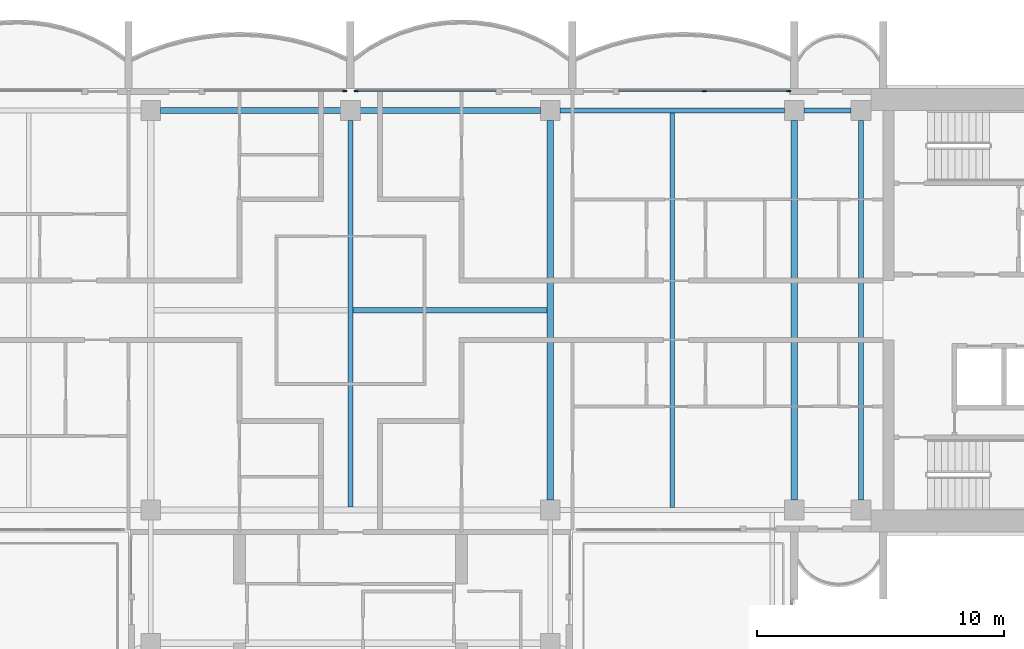
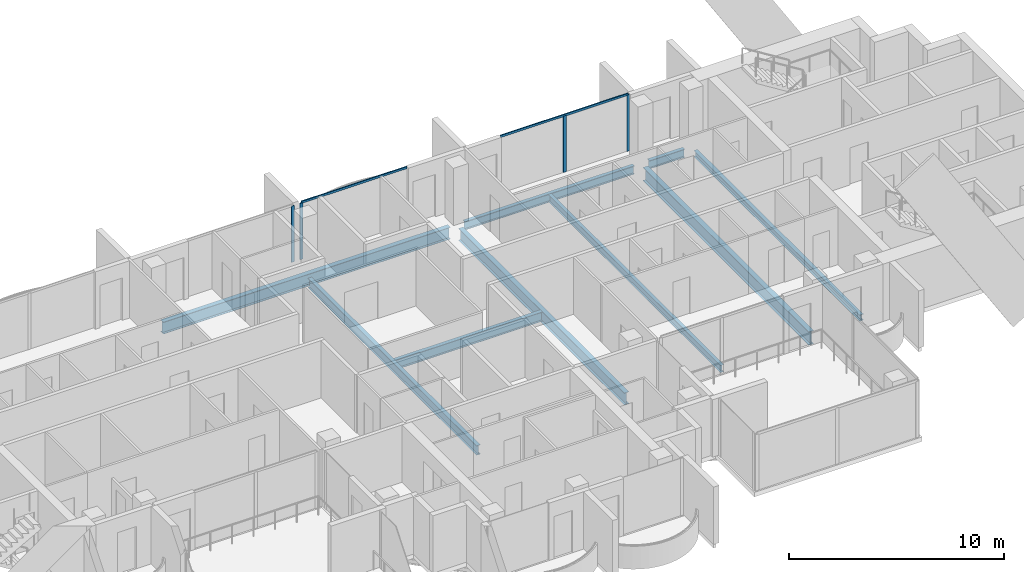
# One storey, part 4 of 16: 9 beams, 6 members, 3 elements without a shape of their own.
"""IFC4 building model written with IfcOpenShell, lengths in metres."""

from ifc_helpers import new_model, si_unit, direction, frame, origin, origin_2d, place, context, subcontext, project, spatial, rectangle, i_section, extrude, material, material_profile, profile_set, type_object, element, aggregate, save


model = new_model("IFC4")

# Units and contexts
model_context = context("Model", 3, precision=1e-05, world=origin(), true_north=direction((0.0, 1.0)))
body_context = subcontext(model_context, "Body", "Model", "MODEL_VIEW")
ifc_project = project(units=[si_unit("LENGTHUNIT", "METRE"), si_unit("AREAUNIT", "SQUARE_METRE"), si_unit("VOLUMEUNIT", "CUBIC_METRE"), si_unit("PLANEANGLEUNIT", "RADIAN"), si_unit("MASSUNIT", "GRAM", prefix="KILO")], contexts=[model_context])

# Site, building, storey
site_placement = place(None, origin())
site = spatial("IfcSite", under=ifc_project, at=site_placement, CompositionType="ELEMENT")
building_placement = place(site_placement, origin())
building = spatial("IfcBuilding", under=site, at=building_placement, Name="Perihelion Cross Residences", CompositionType="ELEMENT")
storey_placement = place(building_placement, frame((0.0, 0.0, 250.0)))
storey = spatial("IfcBuildingStorey", under=building, at=storey_placement, Name="L63", CompositionType="ELEMENT", Elevation=250.0)

# Curtain wall, members
ifc_material_1 = material(Name="Bronze anodised aluminium, tinted glazing", Category="aluminium")
curtain_wall_type = type_object("IfcCurtainWallType", Name="CW1", PredefinedType="NOTDEFINED", material=ifc_material_1)
curtain_wall_1_placement = place(storey_placement, origin())
curtain_wall_1 = element("IfcCurtainWall", 1, at=curtain_wall_1_placement, inside=storey, type_object=curtain_wall_type, Name="Curtain wall CW1 L63 east side north bay 2", PredefinedType="NOTDEFINED")
ifc_material_2 = material(Name="Bronze anodised aluminium", Category="aluminium")
ifc_material_profile_1 = material_profile(ifc_material_2, rectangle(XDim=0.06005859375, YDim=0.159912109375, at=origin_2d()), Name="CW1 mullion")
ifc_profile_set_1 = profile_set([ifc_material_profile_1], Name="Bronze anodised aluminium")
member_type_1 = type_object("IfcMemberType", Name="CW1 mullion", PredefinedType="MULLION", material=ifc_profile_set_1)
member_1_placement = place(storey_placement, frame((17.77001953125, 8.89990234375, 0.0), z_axis=(0.0, 0.0, 1.0), x_axis=(0.0, -1.0, 0.0)))
member_1 = element("IfcMember", 2, at=member_1_placement, type_object=member_type_1, Name="CW1 mullion 1", PredefinedType="MULLION", context=body_context, shape_type="SweptSolid", body=[
    extrude(rectangle(XDim=0.06005859375, YDim=0.159912109375, at=origin_2d()), origin(), (0.0, 0.0, 1.0), 3.18994140625),
])
member_2_placement = place(storey_placement, frame((14.35009765625, 8.89990234375, 0.0), z_axis=(0.0, 0.0, 1.0), x_axis=(0.0, -1.0, 0.0)))
member_2 = element("IfcMember", 3, at=member_2_placement, type_object=member_type_1, Name="CW1 mullion 2", PredefinedType="MULLION", context=body_context, shape_type="SweptSolid", body=[
    extrude(rectangle(XDim=0.06005859375, YDim=0.159912109375, at=origin_2d()), origin(), (0.0, 0.0, 1.0), 3.18994140625),
])

# Curtain wall, member
curtain_wall_2_placement = place(storey_placement, origin())
curtain_wall_2 = element("IfcCurtainWall", 4, at=curtain_wall_2_placement, inside=storey, type_object=curtain_wall_type, Name="Curtain wall CW1 L63 north side east bay 1", PredefinedType="NOTDEFINED")
member_3_placement = place(storey_placement, frame((0.22998046875, 8.89990234375, 0.0), z_axis=(0.0, 0.0, 1.0), x_axis=(0.0, -1.0, 0.0)))
member_3 = element("IfcMember", 5, at=member_3_placement, type_object=member_type_1, Name="CW1 mullion 2", PredefinedType="MULLION", context=body_context, shape_type="SweptSolid", body=[
    extrude(rectangle(XDim=0.06005859375, YDim=0.159912109375, at=origin_2d()), origin(), (0.0, 0.0, 1.0), 3.18994140625),
])

curtain_wall_3_placement = place(storey_placement, origin())
curtain_wall_3 = element("IfcCurtainWall", 6, at=curtain_wall_3_placement, inside=storey, type_object=curtain_wall_type, Name="Curtain wall CW1 L63 north side east bay 2", PredefinedType="NOTDEFINED")
member_4_placement = place(storey_placement, frame((-0.22998046875, 8.89990234375, 0.0), z_axis=(0.0, 0.0, 1.0), x_axis=(0.0, -1.0, 0.0)))
member_4 = element("IfcMember", 7, at=member_4_placement, type_object=member_type_1, Name="CW1 mullion 1", PredefinedType="MULLION", context=body_context, shape_type="SweptSolid", body=[
    extrude(rectangle(XDim=0.06005859375, YDim=0.159912109375, at=origin_2d()), origin(), (0.0, 0.0, 1.0), 3.18994140625),
])
aggregate(curtain_wall_3, [member_4])

# Member
ifc_material_3 = material(Name="Bronze anodised aluminium", Category="aluminium")
ifc_material_profile_2 = material_profile(ifc_material_3, rectangle(XDim=0.06005859375, YDim=0.1201171875, at=origin_2d()), Name="CW1 transom")
ifc_profile_set_2 = profile_set([ifc_material_profile_2], Name="Bronze anodised aluminium")
member_type_2 = type_object("IfcMemberType", Name="CW1 transom", PredefinedType="USERDEFINED", material=ifc_profile_set_2)
member_5_placement = place(storey_placement, frame((17.77001953125, 8.89990234375, 3.219970703125), z_axis=(-1.0, 0.0, 0.0), x_axis=(0.0, -1.0, 0.0)))
member_5 = element("IfcMember", 8, at=member_5_placement, type_object=member_type_2, Name="CW1 head transom", ObjectType="TRANSOM", PredefinedType="USERDEFINED", context=body_context, shape_type="SweptSolid", body=[
    extrude(rectangle(XDim=0.06005859375, YDim=0.1201171875, at=origin_2d()), origin(), (0.0, 0.0, 1.0), 6.8701171875),
])

aggregate(curtain_wall_1, [member_1, member_2, member_5])

member_6_placement = place(storey_placement, frame((5.89990234375, 8.89990234375, 3.219970703125), z_axis=(-1.0, 0.0, 0.0), x_axis=(0.0, -1.0, 0.0)))
member_6 = element("IfcMember", 9, at=member_6_placement, type_object=member_type_2, Name="CW1 head transom", ObjectType="TRANSOM", PredefinedType="USERDEFINED", context=body_context, shape_type="SweptSolid", body=[
    extrude(rectangle(XDim=0.06005859375, YDim=0.1201171875, at=origin_2d()), origin(), (0.0, 0.0, 1.0), 5.669921875),
])

aggregate(curtain_wall_2, [member_3, member_6])

# Beams
ifc_material_4 = material(Name="Steel S355", Category="steel")
ifc_material_profile_3 = material_profile(ifc_material_4, i_section(OverallWidth=0.205078125, OverallDepth=0.35302734375, WebThickness=0.009521484375, FlangeThickness=0.016845703125, at=origin_2d()), Name="W360x79")
ifc_profile_set_3 = profile_set([ifc_material_profile_3], Name="Steel S355")
beam_type_1 = type_object("IfcBeamType", Name="Core edge beam W360x79", PredefinedType="BEAM", material=ifc_profile_set_3)
beam_1_placement = place(storey_placement, frame((20.699951171875, -7.699951171875, -0.426513671875), z_axis=(0.0, 1.0, 0.0), x_axis=(-1.0, 0.0, 0.0)))
element("IfcBeam", 10, at=beam_1_placement, inside=storey, type_object=beam_type_1, Name="Core edge beam TB7 L63 no. 2", PredefinedType="BEAM", context=body_context, shape_type="SweptSolid", body=[
    extrude(i_section(OverallWidth=0.205078125, OverallDepth=0.35302734375, WebThickness=0.009521484375, FlangeThickness=0.016845703125, at=origin_2d()), origin(), (0.0, 0.0, 1.0), 15.39990234375),
])
ifc_material_5 = material(Name="Steel S355", Category="steel")
ifc_material_profile_4 = material_profile(ifc_material_5, i_section(OverallWidth=0.194091796875, OverallDepth=0.469970703125, WebThickness=0.0126953125, FlangeThickness=0.0205078125, at=origin_2d()), Name="W460x106")
ifc_profile_set_4 = profile_set([ifc_material_profile_4], Name="Steel S355")
beam_type_2 = type_object("IfcBeamType", Name="Edge beam W460x106", PredefinedType="SPANDREL", material=ifc_profile_set_4)
beam_2_placement = place(storey_placement, frame((20.300048828125, 8.10009765625, -0.485107421875), z_axis=(-1.0, 0.0, 0.0), x_axis=(0.0, -1.0, 0.0)))
element("IfcBeam", 11, at=beam_2_placement, inside=storey, type_object=beam_type_2, Name="Edge beam SB5 L63 no. 10", PredefinedType="SPANDREL", context=body_context, shape_type="SweptSolid", body=[
    extrude(i_section(OverallWidth=0.194091796875, OverallDepth=0.469970703125, WebThickness=0.0126953125, FlangeThickness=0.0205078125, at=origin_2d()), origin(), (0.0, 0.0, 1.0), 1.900146484375),
])
beam_3_placement = place(storey_placement, frame((17.60009765625, 8.10009765625, -0.485107421875), z_axis=(-1.0, 0.0, 0.0), x_axis=(0.0, -1.0, 0.0)))
element("IfcBeam", 12, at=beam_3_placement, inside=storey, type_object=beam_type_2, Name="Edge beam SB5 L63 no. 9", PredefinedType="SPANDREL", context=body_context, shape_type="SweptSolid", body=[
    extrude(i_section(OverallWidth=0.194091796875, OverallDepth=0.469970703125, WebThickness=0.0126953125, FlangeThickness=0.0205078125, at=origin_2d()), origin(), (0.0, 0.0, 1.0), 9.10009765625),
])
ifc_material_6 = material(Name="Steel S355", Category="steel")
ifc_material_profile_5 = material_profile(ifc_material_6, i_section(OverallWidth=0.26708984375, OverallDepth=0.75390625, WebThickness=0.01318359375, FlangeThickness=0.01708984375, at=origin_2d()), Name="W760x147")
ifc_profile_set_5 = profile_set([ifc_material_profile_5], Name="Steel S355")
beam_type_3 = type_object("IfcBeamType", Name="Floor girder W760x147", PredefinedType="BEAM", material=ifc_profile_set_5)
beam_4_placement = place(storey_placement, frame((18.0, -7.699951171875, -0.626953125), z_axis=(0.0, 1.0, 0.0), x_axis=(-1.0, 0.0, 0.0)))
element("IfcBeam", 13, at=beam_4_placement, inside=storey, type_object=beam_type_3, Name="Girder G5 L63 no. 2", PredefinedType="BEAM", context=body_context, shape_type="SweptSolid", body=[
    extrude(i_section(OverallWidth=0.26708984375, OverallDepth=0.75390625, WebThickness=0.01318359375, FlangeThickness=0.01708984375, at=origin_2d()), origin(), (0.0, 0.0, 1.0), 15.39990234375),
])
ifc_material_7 = material(Name="Steel S355", Category="steel")
ifc_material_profile_6 = material_profile(ifc_material_7, i_section(OverallWidth=0.177978515625, OverallDepth=0.406005859375, WebThickness=0.0078125, FlangeThickness=0.0126953125, at=origin_2d()), Name="W410x60")
ifc_profile_set_6 = profile_set([ifc_material_profile_6], Name="Steel S355")
beam_type_4 = type_object("IfcBeamType", Name="Floor joist W410x60", PredefinedType="JOIST", material=ifc_profile_set_6)
beam_5_placement = place(storey_placement, frame((13.050048828125, -8.0029296875, -0.452880859375), z_axis=(0.0, 1.0, 0.0), x_axis=(-1.0, 0.0, 0.0)))
element("IfcBeam", 14, at=beam_5_placement, inside=storey, type_object=beam_type_4, Name="Joist J6 L63 no. 2", PredefinedType="JOIST", context=body_context, shape_type="SweptSolid", body=[
    extrude(i_section(OverallWidth=0.177978515625, OverallDepth=0.406005859375, WebThickness=0.0078125, FlangeThickness=0.0126953125, at=origin_2d()), origin(), (0.0, 0.0, 1.0), 16.005859375),
])
ifc_material_8 = material(Name="Steel S355", Category="steel")
ifc_material_profile_7 = material_profile(ifc_material_8, i_section(OverallWidth=0.208984375, OverallDepth=0.532958984375, WebThickness=0.01025390625, FlangeThickness=0.015625, at=origin_2d()), Name="W530x92")
ifc_profile_set_7 = profile_set([ifc_material_profile_7], Name="Steel S355")
beam_type_5 = type_object("IfcBeamType", Name="Hub cross beam W530x92", PredefinedType="BEAM", material=ifc_profile_set_7)
beam_6_placement = place(storey_placement, frame((0.0, -7.972900390625, -0.5166015625), z_axis=(0.0, 1.0, 0.0), x_axis=(-1.0, 0.0, 0.0)))
element("IfcBeam", 15, at=beam_6_placement, inside=storey, type_object=beam_type_5, Name="Hub cross beam XB5 L63 no. 1", PredefinedType="BEAM", context=body_context, shape_type="SweptSolid", body=[
    extrude(i_section(OverallWidth=0.208984375, OverallDepth=0.532958984375, WebThickness=0.01025390625, FlangeThickness=0.015625, at=origin_2d()), origin(), (0.0, 0.0, 1.0), 15.6728515625),
])
beam_7_placement = place(storey_placement, frame((0.1044921875, 0.0, -0.5166015625), z_axis=(1.0, 0.0, 0.0), x_axis=(0.0, 1.0, 0.0)))
element("IfcBeam", 16, at=beam_7_placement, inside=storey, type_object=beam_type_5, Name="Hub cross beam XB5 L63 2 no. 1", PredefinedType="BEAM", context=body_context, shape_type="SweptSolid", body=[
    extrude(i_section(OverallWidth=0.208984375, OverallDepth=0.532958984375, WebThickness=0.01025390625, FlangeThickness=0.015625, at=origin_2d()), origin(), (0.0, 0.0, 1.0), 7.868408203125),
])
ifc_material_9 = material(Name="Steel S355", Category="steel")
ifc_material_profile_8 = material_profile(ifc_material_9, i_section(OverallWidth=0.25390625, OverallDepth=0.677978515625, WebThickness=0.01171875, FlangeThickness=0.016357421875, at=origin_2d()), Name="W690x125")
ifc_profile_set_8 = profile_set([ifc_material_profile_8], Name="Steel S355")
beam_type_6 = type_object("IfcBeamType", Name="Hub ring girder W690x125", PredefinedType="BEAM", material=ifc_profile_set_8)
for number, where, z_axis, x_axis, name in (
    (17, (8.10009765625, -7.699951171875, -0.589111328125), (0.0, 1.0, 0.0), (-1.0, 0.0, 0.0), "Hub ring girder RG5 L63 no. 3"),
    (18, (7.699951171875, 8.10009765625, -0.589111328125), (-1.0, 0.0, 0.0), (0.0, -1.0, 0.0), "Hub ring girder RG5 L63 no. 4"),
):
    element("IfcBeam", number, at=place(storey_placement, frame(where, z_axis=z_axis, x_axis=x_axis)), inside=storey, type_object=beam_type_6, Name=name, PredefinedType="BEAM", context=body_context, shape_type="SweptSolid", body=[
        extrude(i_section(OverallWidth=0.25390625, OverallDepth=0.677978515625, WebThickness=0.01171875, FlangeThickness=0.016357421875, at=origin_2d()), origin(), (0.0, 0.0, 1.0), 15.39990234375),
    ])

save(model, "model.ifc")
